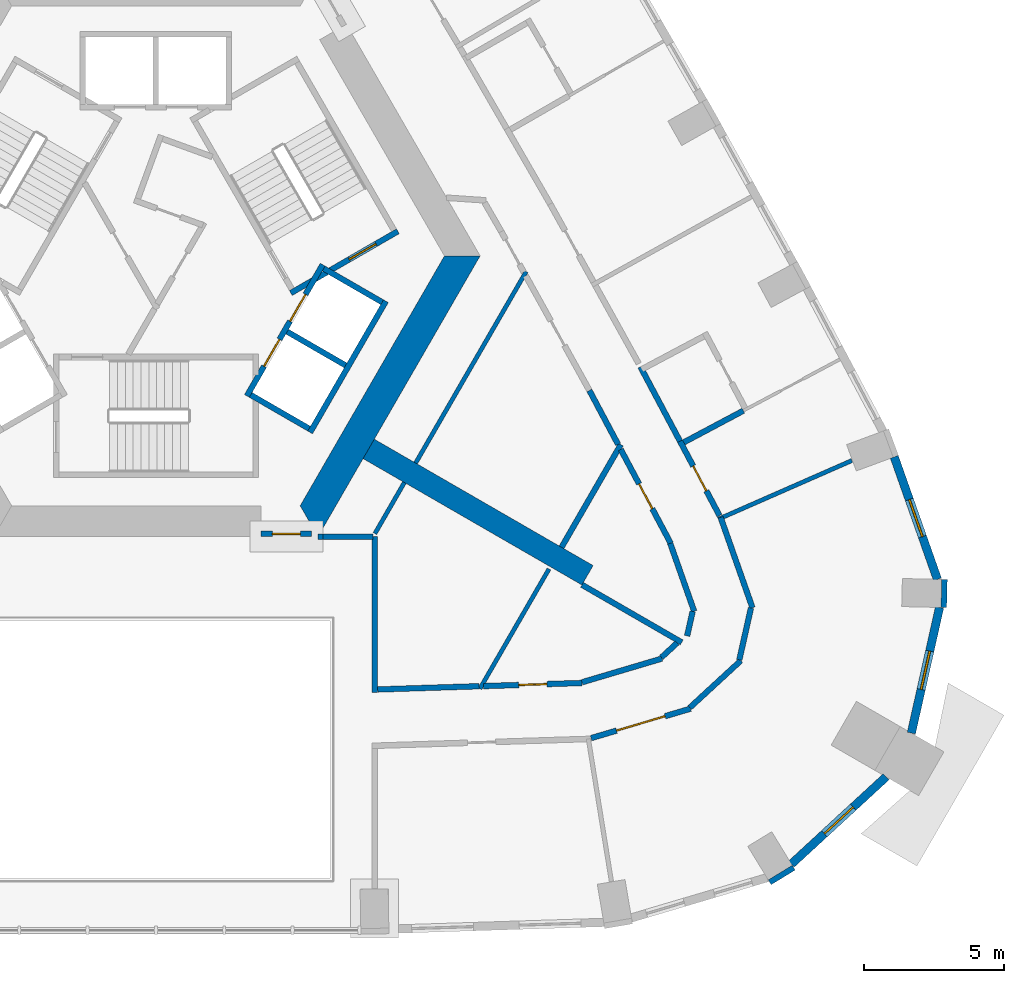
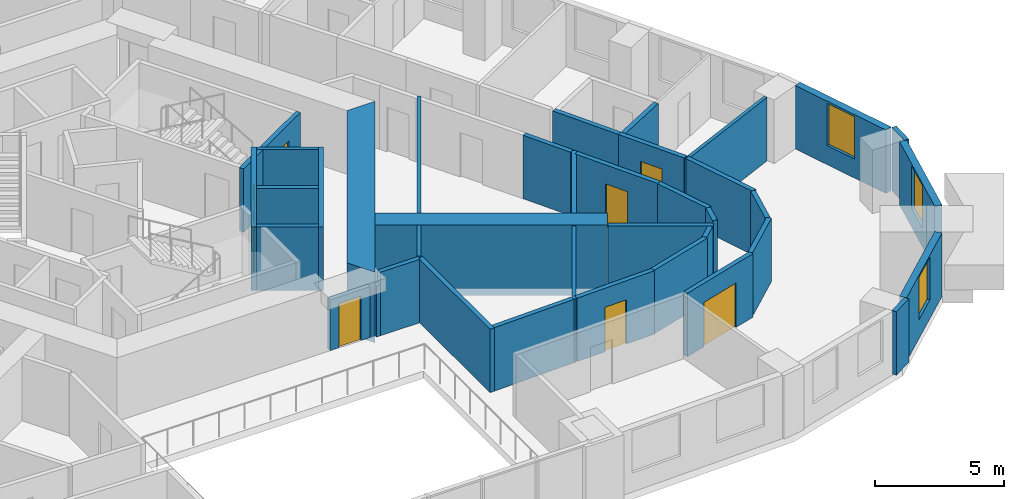
# One storey, part 6 of 12: 38 walls, 8 doors, 3 windows, 11 openings.
"""IFC4 building model written with IfcOpenShell, lengths in metres."""

from ifc_helpers import new_model, si_unit, direction, frame, frame_2d, origin, place, context, subcontext, project, spatial, polyline, rectangle, outline, extrude, material, layer, layer_set, type_object, element, fill, save


model = new_model("IFC4")

# Units and contexts
model_context = context("Model", 3, precision=1e-05, world=origin(), true_north=direction((0.0, 1.0)))
body_context = subcontext(model_context, "Body", "Model", "MODEL_VIEW")
ifc_project = project(units=[si_unit("LENGTHUNIT", "METRE"), si_unit("AREAUNIT", "SQUARE_METRE"), si_unit("VOLUMEUNIT", "CUBIC_METRE"), si_unit("PLANEANGLEUNIT", "RADIAN"), si_unit("MASSUNIT", "GRAM", prefix="KILO")], contexts=[model_context])

# Site, building, storey
site_placement = place(None, origin())
site = spatial("IfcSite", under=ifc_project, at=site_placement, CompositionType="ELEMENT")
building_placement = place(site_placement, origin())
building = spatial("IfcBuilding", under=site, at=building_placement, Name="Entoto Arch Interchange Tower", CompositionType="ELEMENT")
storey_placement = place(building_placement, frame((0.0, 0.0, 277.39990234375)))
storey = spatial("IfcBuildingStorey", under=building, at=storey_placement, Name="L64", CompositionType="ELEMENT", Elevation=277.39990234375)

# Wall
ifc_material_1 = material(Name="Concrete C40/50", Category="concrete")
ifc_layer_1 = layer(ifc_material_1, 0.800048828125)
ifc_layer_set_1 = layer_set([ifc_layer_1], Name="Concrete C40/50")
wall_type_1 = type_object("IfcWallType", Name="Buttress wall 800 C40/50", PredefinedType="SHEAR", material=ifc_layer_set_1)
wall_1_placement = place(storey_placement, frame((7.577880859375, -4.375, -0.33984375), z_axis=(0.0, 0.0, 1.0), x_axis=(0.866024315419, -0.5000018851, 0.0)))
element("IfcWall", 1, at=wall_1_placement, inside=storey, type_object=wall_type_1, Name="Buttress wall SE L64", PredefinedType="SHEAR", context=body_context, shape_type="SweptSolid", body=[
    extrude(rectangle(XDim=9.0, YDim=0.800048828125, at=frame_2d((4.5, 0.0))), origin(), (0.0, 0.0, 1.0), 3.33984375),
])

# Wall, opening, door
ifc_material_2 = material(Name="Reinforced concrete C40/50", Category="concrete")
ifc_layer_2 = layer(ifc_material_2, 0.199951171875)
ifc_layer_set_2 = layer_set([ifc_layer_2], Name="Reinforced concrete C40/50")
wall_type_2 = type_object("IfcWallType", Name="CORE GAP INFILL WALL", PredefinedType="PARTITIONING", material=ifc_layer_set_2)
wall_2_placement = place(storey_placement, frame((3.75, -7.39990234375, 0.0), z_axis=(0.0, 0.0, 1.0), x_axis=(1.0, 0.0, 0.0)))
wall_2 = element("IfcWall", 2, at=wall_2_placement, inside=storey, type_object=wall_type_2, Name="wall:L64:gap1", PredefinedType="PARTITIONING", context=body_context, shape_type="SweptSolid", body=[
    extrude(rectangle(XDim=1.7939453125, YDim=0.199951171875, at=frame_2d((0.89697265625, 0.0))), origin(), (0.0, 0.0, 1.0), 2.400146484375),
])
opening_1_placement = place(wall_2_placement, frame((0.39697265625, 0.0, 0.0)))
opening_1 = element("IfcOpeningElement", 3, at=opening_1_placement, cuts=wall_2, Name="Opening L64-D91", PredefinedType="OPENING", context=body_context, shape_type="SweptSolid", body=[
    extrude(rectangle(XDim=1.0, YDim=2.10009765625, at=frame_2d((0.5, 1.050048828125))), frame((0.0, 0.10986328125, 0.0), z_axis=(0.0, -1.0, 0.0), x_axis=(1.0, 0.0, 0.0)), (0.0, 0.0, 1.0), 0.219970703125),
])
ifc_material_3 = material(Name="Fire-rated Steel S235 door and frame", Category="steel")
door_type_1 = type_object("IfcDoorType", Name="DOOR FD-10 1000x2100", OperationType="SINGLE_SWING_LEFT", PredefinedType="DOOR", material=ifc_material_3)
door_1_placement = place(opening_1_placement, origin())
door_1 = element("IfcDoor", 4, at=door_1_placement, inside=storey, type_object=door_type_1, Name="door:L64:gap1", OperationType="SINGLE_SWING_LEFT", OverallHeight=2.10009765625, OverallWidth=1.0, PredefinedType="DOOR", context=body_context, shape_type="SweptSolid", body=[
    extrude(rectangle(XDim=1.0, YDim=2.10009765625, at=frame_2d((0.5, 1.050048828125))), frame((0.0, 0.02490234375, 0.0), z_axis=(0.0, -1.0, 0.0), x_axis=(1.0, 0.0, 0.0)), (0.0, 0.0, 1.0), 0.050048828125),
])
fill(opening_1, door_1)

# Wall
ifc_layer_3 = layer(ifc_material_1, 1.10009765625)
ifc_layer_set_3 = layer_set([ifc_layer_3], Name="Concrete C40/50")
wall_type_3 = type_object("IfcWallType", Name="Core wall 1100 C40/50", PredefinedType="SHEAR", material=ifc_layer_set_3)
wall_3_placement = place(storey_placement, frame((0.0, 0.0, -0.33984375)))
element("IfcWall", 5, at=wall_3_placement, inside=storey, type_object=wall_type_3, Name="Core wall SE L64", PredefinedType="SHEAR", context=body_context, shape_type="SweptSolid", body=[
    extrude(outline(polyline([(5.77392578125, -7.5), (11.547119140625, 2.5), (10.277099609375, 2.5), (5.137939453125, -6.39990234375), (5.77392578125, -7.5)])), origin(), (0.0, 0.0, 1.0), 3.33984375),
])

# Wall, openings, doors
ifc_layer_4 = layer(ifc_material_1, 0.199951171875)
ifc_layer_set_4 = layer_set([ifc_layer_4], Name="Concrete C40/50")
wall_type_4 = type_object("IfcWallType", Name="LIFT SHAFT WALL 200", PredefinedType="STANDARD", material=ifc_layer_set_4)
wall_4_placement = place(storey_placement, frame((3.239990234375, -2.488037109375, 0.0), z_axis=(0.0, 0.0, 1.0), x_axis=(0.500034260056, 0.866005622828, 0.0)))
wall_4 = element("IfcWall", 6, at=wall_4_placement, inside=storey, type_object=wall_type_4, Name="Shaft wall SE1 front", PredefinedType="STANDARD", context=body_context, shape_type="SweptSolid", body=[
    extrude(rectangle(XDim=5.3994140625, YDim=0.199951171875, at=frame_2d((2.69970703125, 0.0))), origin(), (0.0, 0.0, 1.0), 3.0),
])
opening_2_placement = place(wall_4_placement, frame((3.074951171875, 0.0, 0.0)))
opening_2 = element("IfcOpeningElement", 7, at=opening_2_placement, cuts=wall_4, Name="Opening LD-HR3-L64", PredefinedType="OPENING", context=body_context, shape_type="SweptSolid", body=[
    extrude(rectangle(XDim=1.10009765625, YDim=2.10009765625, at=frame_2d((0.550048828125, 1.050048828125))), frame((0.0, 0.10986328125, 0.0), z_axis=(0.0, -1.0, 0.0), x_axis=(1.0, 0.0, 0.0)), (0.0, 0.0, 1.0), 0.219970703125),
])
opening_3_placement = place(wall_4_placement, frame((1.22509765625, 0.0, 0.0)))
opening_3 = element("IfcOpeningElement", 8, at=opening_3_placement, cuts=wall_4, Name="Opening LD-FF1-L64", PredefinedType="OPENING", context=body_context, shape_type="SweptSolid", body=[
    extrude(rectangle(XDim=1.10009765625, YDim=2.10009765625, at=frame_2d((0.550048828125, 1.050048828125))), frame((0.0, 0.10986328125, 0.0), z_axis=(0.0, -1.0, 0.0), x_axis=(1.0, 0.0, 0.0)), (0.0, 0.0, 1.0), 0.219970703125),
])
ifc_material_4 = material(Name="Stainless steel 1.4301 panels", Category="steel")
door_type_2 = type_object("IfcDoorType", Name="LIFT LANDING DOOR LD1 1100x2100", OperationType="SLIDING_TO_LEFT", PredefinedType="DOOR", material=ifc_material_4)
door_2_placement = place(opening_2_placement, origin())
door_2 = element("IfcDoor", 9, at=door_2_placement, inside=storey, type_object=door_type_2, Name="Lift landing door HR3 L64", OperationType="SLIDING_TO_LEFT", OverallHeight=2.10009765625, OverallWidth=1.10009765625, PredefinedType="DOOR", context=body_context, shape_type="SweptSolid", body=[
    extrude(rectangle(XDim=1.10009765625, YDim=2.10009765625, at=frame_2d((0.550048828125, 1.050048828125))), frame((0.0, 0.02490234375, 0.0), z_axis=(0.0, -1.0, 0.0), x_axis=(1.0, 0.0, 0.0)), (0.0, 0.0, 1.0), 0.050048828125),
])
fill(opening_2, door_2)
door_3_placement = place(opening_3_placement, origin())
door_3 = element("IfcDoor", 10, at=door_3_placement, inside=storey, type_object=door_type_2, Name="Lift landing door FF1 L64", OperationType="SLIDING_TO_LEFT", OverallHeight=2.10009765625, OverallWidth=1.10009765625, PredefinedType="DOOR", context=body_context, shape_type="SweptSolid", body=[
    extrude(rectangle(XDim=1.10009765625, YDim=2.10009765625, at=frame_2d((0.550048828125, 1.050048828125))), frame((0.0, 0.02490234375, 0.0), z_axis=(0.0, -1.0, 0.0), x_axis=(1.0, 0.0, 0.0)), (0.0, 0.0, 1.0), 0.050048828125),
])
fill(opening_3, door_3)

# Walls
wall_5_placement = place(storey_placement, frame((5.491943359375, -3.7880859375, 0.0), z_axis=(0.0, 0.0, 1.0), x_axis=(0.500034260056, 0.866005622828, 0.0)))
element("IfcWall", 11, at=wall_5_placement, inside=storey, type_object=wall_type_4, Name="Shaft wall SE1 back", PredefinedType="STANDARD", context=body_context, shape_type="SweptSolid", body=[
    extrude(rectangle(XDim=5.3994140625, YDim=0.199951171875, at=frame_2d((2.69970703125, 0.0))), origin(), (0.0, 0.0, 1.0), 3.0),
])
wall_6_placement = place(storey_placement, frame((3.376953125, -2.451904296875, 0.0), z_axis=(0.0, 0.0, 1.0), x_axis=(0.865955154139, -0.50012165622, 0.0)))
element("IfcWall", 12, at=wall_6_placement, inside=storey, type_object=wall_type_4, Name="Shaft wall SE1 cross 1", PredefinedType="STANDARD", context=body_context, shape_type="SweptSolid", body=[
    extrude(rectangle(XDim=2.39990234375, YDim=0.199951171875, at=frame_2d((1.199951171875, 0.0))), origin(), (0.0, 0.0, 1.0), 3.0),
])
for number, where, z_axis, x_axis, name in (
    (13, (4.677001953125, -0.199951171875, 0.0), (0.0, 0.0, 1.0), (0.865973769406, -0.500089422704, 0.0), "Shaft wall SE1 cross 2"),
    (14, (5.97705078125, 2.052001953125, 0.0), (0.0, 0.0, 1.0), (0.865973769406, -0.500089422704, 0.0), "Shaft wall SE1 cross 3"),
):
    element("IfcWall", number, at=place(storey_placement, frame(where, z_axis=z_axis, x_axis=x_axis)), inside=storey, type_object=wall_type_4, Name=name, PredefinedType="STANDARD", context=body_context, shape_type="SweptSolid", body=[
        extrude(rectangle(XDim=2.3994140625, YDim=0.199951171875, at=frame_2d((1.19970703125, 0.0))), origin(), (0.0, 0.0, 1.0), 3.0),
    ])
ifc_material_5 = material(Name="Gypsum board partition on steel studs", Category="steel")
ifc_layer_5 = layer(ifc_material_5, 0.14990234375)
ifc_layer_set_5 = layer_set([ifc_layer_5], Name="Gypsum board partition on steel studs")
wall_type_5 = type_object("IfcWallType", Name="PARTITION 150", PredefinedType="PARTITIONING", material=ifc_layer_set_5)
wall_7_placement = place(storey_placement, frame((7.800048828125, -7.389892578125, 0.0), z_axis=(0.0, 0.0, 1.0), x_axis=(0.499977374825, 0.866038466041, 0.0)))
element("IfcWall", 15, at=wall_7_placement, inside=storey, type_object=wall_type_5, Name="wall:L64:p076", PredefinedType="PARTITIONING", context=body_context, shape_type="SweptSolid", body=[
    extrude(rectangle(XDim=2.10009765625, YDim=0.14990234375, at=frame_2d((1.050048828125, 0.0))), origin(), (0.0, 0.0, 1.0), 3.0),
])
wall_8_placement = place(storey_placement, frame((14.0, -8.652099609375, 0.0), z_axis=(0.0, 0.0, 1.0), x_axis=(-0.500067562424, -0.865986393087, 0.0)))
element("IfcWall", 16, at=wall_8_placement, inside=storey, type_object=wall_type_5, Name="wall:L64:p086", PredefinedType="PARTITIONING", context=body_context, shape_type="SweptSolid", body=[
    extrude(rectangle(XDim=4.919189453125, YDim=0.14990234375, at=frame_2d((2.45947265625, 0.0))), origin(), (0.0, 0.0, 1.0), 3.0),
])
wall_9_placement = place(storey_placement, frame((20.030029296875, -6.8779296875, 0.0), z_axis=(0.0, 0.0, 1.0), x_axis=(0.915616185053, 0.402053481104, 0.0)))
element("IfcWall", 17, at=wall_9_placement, inside=storey, type_object=wall_type_5, Name="wall:L64:p095", PredefinedType="PARTITIONING", context=body_context, shape_type="SweptSolid", body=[
    extrude(rectangle(XDim=5.195556640625, YDim=0.14990234375, at=frame_2d((2.59765625, 0.0))), origin(), (0.0, 0.0, 1.0), 3.0),
])
wall_10_placement = place(storey_placement, frame((9.25, -4.87890625, 0.0), z_axis=(0.0, 0.0, 1.0), x_axis=(0.499999725187, 0.866025562448, 0.0)))
element("IfcWall", 18, at=wall_10_placement, inside=storey, type_object=wall_type_5, Name="wall:L64:p076", PredefinedType="PARTITIONING", context=body_context, shape_type="SweptSolid", body=[
    extrude(rectangle(XDim=7.8759765625, YDim=0.14990234375, at=frame_2d((3.93798828125, 0.0))), origin(), (0.0, 0.0, 1.0), 3.0),
])
ifc_layer_6 = layer(ifc_material_5, 0.199951171875)
ifc_layer_set_6 = layer_set([ifc_layer_6], Name="Gypsum board partition on steel studs")
wall_type_6 = type_object("IfcWallType", Name="PARTITION 200", PredefinedType="PARTITIONING", material=ifc_layer_set_6)
wall_11_placement = place(storey_placement, frame((7.89990234375, -12.94189453125, 0.0), z_axis=(0.0, 0.0, 1.0), x_axis=(0.999494468474, 0.031793198801, 0.0)))
element("IfcWall", 19, at=wall_11_placement, inside=storey, type_object=wall_type_6, Name="wall:L64:p019", PredefinedType="PARTITIONING", context=body_context, shape_type="SweptSolid", body=[
    extrude(rectangle(XDim=3.61669921875, YDim=0.199951171875, at=frame_2d((1.808349609375, 0.0))), origin(), (0.0, 0.0, 1.0), 3.0),
])
wall_12_placement = place(storey_placement, frame((16.4619140625, -4.217041015625, 0.0), z_axis=(0.0, 0.0, 1.0), x_axis=(-0.469436447461, 0.882966263113, 0.0)))
element("IfcWall", 20, at=wall_12_placement, inside=storey, type_object=wall_type_6, Name="wall:L64:p020", PredefinedType="PARTITIONING", context=body_context, shape_type="SweptSolid", body=[
    extrude(rectangle(XDim=2.17919921875, YDim=0.199951171875, at=frame_2d((1.089599609375, 0.0))), origin(), (0.0, 0.0, 1.0), 3.0),
])

# Wall, opening, door
wall_13_placement = place(storey_placement, frame((11.6650390625, -12.822998046875, 0.0), z_axis=(0.0, 0.0, 1.0), x_axis=(0.99949244941, 0.03185660956, 0.0)))
wall_13 = element("IfcWall", 21, at=wall_13_placement, inside=storey, type_object=wall_type_6, Name="wall:L64:p022", PredefinedType="PARTITIONING", context=body_context, shape_type="SweptSolid", body=[
    extrude(rectangle(XDim=3.517578125, YDim=0.199951171875, at=frame_2d((1.7587890625, 0.0))), origin(), (0.0, 0.0, 1.0), 3.0),
])
opening_4_placement = place(wall_13_placement, frame((1.259033203125, 0.0, 0.0)))
opening_4 = element("IfcOpeningElement", 22, at=opening_4_placement, cuts=wall_13, Name="Opening L64-D23", PredefinedType="OPENING", context=body_context, shape_type="SweptSolid", body=[
    extrude(rectangle(XDim=1.0, YDim=2.10009765625, at=frame_2d((0.5, 1.050048828125))), frame((0.0, 0.10986328125, 0.0), z_axis=(0.0, -1.0, 0.0), x_axis=(1.0, 0.0, 0.0)), (0.0, 0.0, 1.0), 0.219970703125),
])
ifc_material_6 = material(Name="Timber door leaf in Steel S235 frame", Category="steel")
door_type_3 = type_object("IfcDoorType", Name="DOOR DS-10 1000x2100", OperationType="SINGLE_SWING_LEFT", PredefinedType="DOOR", material=ifc_material_6)
door_4_placement = place(opening_4_placement, origin())
door_4 = element("IfcDoor", 23, at=door_4_placement, inside=storey, type_object=door_type_3, Name="door:L64:23", OperationType="SINGLE_SWING_RIGHT", OverallHeight=2.10009765625, OverallWidth=1.0, PredefinedType="DOOR", context=body_context, shape_type="SweptSolid", body=[
    extrude(rectangle(XDim=1.0, YDim=2.10009765625, at=frame_2d((0.5, 1.050048828125))), frame((0.0, 0.02490234375, 0.0), z_axis=(0.0, -1.0, 0.0), x_axis=(1.0, 0.0, 0.0)), (0.0, 0.0, 1.0), 0.050048828125),
])
fill(opening_4, door_4)

# Walls
wall_14_placement = place(storey_placement, frame((15.177001953125, -12.68603515625, 0.0), z_axis=(0.0, 0.0, 1.0), x_axis=(0.958629704259, 0.284656090947, 0.0)))
element("IfcWall", 24, at=wall_14_placement, inside=storey, type_object=wall_type_6, Name="wall:L64:p023", PredefinedType="PARTITIONING", context=body_context, shape_type="SweptSolid", body=[
    extrude(rectangle(XDim=2.971923828125, YDim=0.199951171875, at=frame_2d((1.48583984375, 0.0))), origin(), (0.0, 0.0, 1.0), 3.0),
])
wall_15_placement = place(storey_placement, frame((18.00390625, -11.801025390625, 0.0), z_axis=(0.0, 0.0, 1.0), x_axis=(0.735268601872, 0.677775835436, 0.0)))
element("IfcWall", 25, at=wall_15_placement, inside=storey, type_object=wall_type_6, Name="wall:L64:p024", PredefinedType="PARTITIONING", context=body_context, shape_type="SweptSolid", body=[
    extrude(rectangle(XDim=0.764404296875, YDim=0.199951171875, at=frame_2d((0.38232421875, 0.0))), origin(), (0.0, 0.0, 1.0), 3.0),
])
wall_16_placement = place(storey_placement, frame((18.919921875, -11.033935546875, 0.0), z_axis=(0.0, 0.0, 1.0), x_axis=(0.219096654714, 0.975703159723, 0.0)))
element("IfcWall", 26, at=wall_16_placement, inside=storey, type_object=wall_type_6, Name="wall:L64:p025", PredefinedType="PARTITIONING", context=body_context, shape_type="SweptSolid", body=[
    extrude(rectangle(XDim=0.894775390625, YDim=0.199951171875, at=frame_2d((0.447265625, 0.0))), origin(), (0.0, 0.0, 1.0), 3.0),
])
wall_17_placement = place(storey_placement, frame((19.1708984375, -10.157958984375, 0.0), z_axis=(0.0, 0.0, 1.0), x_axis=(-0.332486504777, 0.943108012977, 0.0)))
element("IfcWall", 27, at=wall_17_placement, inside=storey, type_object=wall_type_6, Name="wall:L64:p026", PredefinedType="PARTITIONING", context=body_context, shape_type="SweptSolid", body=[
    extrude(rectangle(XDim=2.56494140625, YDim=0.199951171875, at=frame_2d((1.282470703125, 0.0))), origin(), (0.0, 0.0, 1.0), 3.0),
])

# Wall, opening, door
wall_18_placement = place(storey_placement, frame((18.33203125, -7.73291015625, 0.0), z_axis=(0.0, 0.0, 1.0), x_axis=(-0.469639737924, 0.882858152006, 0.0)))
wall_18 = element("IfcWall", 28, at=wall_18_placement, inside=storey, type_object=wall_type_6, Name="wall:L64:p027", PredefinedType="PARTITIONING", context=body_context, shape_type="SweptSolid", body=[
    extrude(rectangle(XDim=3.781982421875, YDim=0.199951171875, at=frame_2d((1.89111328125, 0.0))), origin(), (0.0, 0.0, 1.0), 3.0),
])
opening_5_placement = place(wall_18_placement, frame((1.39111328125, 0.0, 0.0)))
opening_5 = element("IfcOpeningElement", 29, at=opening_5_placement, cuts=wall_18, Name="Opening L64-D24", PredefinedType="OPENING", context=body_context, shape_type="SweptSolid", body=[
    extrude(rectangle(XDim=1.0, YDim=2.10009765625, at=frame_2d((0.5, 1.050048828125))), frame((0.0, 0.10986328125, 0.0), z_axis=(0.0, -1.0, 0.0), x_axis=(1.0, 0.0, 0.0)), (0.0, 0.0, 1.0), 0.219970703125),
])
door_5_placement = place(opening_5_placement, origin())
door_5 = element("IfcDoor", 30, at=door_5_placement, inside=storey, type_object=door_type_3, Name="door:L64:24", OperationType="SINGLE_SWING_RIGHT", OverallHeight=2.10009765625, OverallWidth=1.0, PredefinedType="DOOR", context=body_context, shape_type="SweptSolid", body=[
    extrude(rectangle(XDim=1.0, YDim=2.10009765625, at=frame_2d((0.5, 1.050048828125))), frame((0.0, 0.02490234375, 0.0), z_axis=(0.0, -1.0, 0.0), x_axis=(1.0, 0.0, 0.0)), (0.0, 0.0, 1.0), 0.050048828125),
])
fill(opening_5, door_5)

# Walls
wall_19_placement = place(storey_placement, frame((20.113037109375, -6.81396484375, 0.0), z_axis=(0.0, 0.0, 1.0), x_axis=(0.332352648366, -0.943155192492, 0.0)))
element("IfcWall", 31, at=wall_19_placement, inside=storey, type_object=wall_type_6, Name="wall:L64:p038", PredefinedType="PARTITIONING", context=body_context, shape_type="SweptSolid", body=[
    extrude(rectangle(XDim=3.4150390625, YDim=0.199951171875, at=frame_2d((1.70751953125, 0.0))), origin(), (0.0, 0.0, 1.0), 3.0),
])
wall_20_placement = place(storey_placement, frame((21.193115234375, -10.0380859375, 0.0), z_axis=(0.0, 0.0, 1.0), x_axis=(-0.218540107266, -0.975827967173, 0.0)))
element("IfcWall", 32, at=wall_20_placement, inside=storey, type_object=wall_type_6, Name="wall:L64:p039", PredefinedType="PARTITIONING", context=body_context, shape_type="SweptSolid", body=[
    extrude(rectangle(XDim=1.894775390625, YDim=0.199951171875, at=frame_2d((0.947265625, 0.0))), origin(), (0.0, 0.0, 1.0), 3.0),
])
wall_21_placement = place(storey_placement, frame((20.830078125, -11.9169921875, 0.0), z_axis=(0.0, 0.0, 1.0), x_axis=(-0.735547704352, -0.67747293276, 0.0)))
element("IfcWall", 33, at=wall_21_placement, inside=storey, type_object=wall_type_6, Name="wall:L64:p040", PredefinedType="PARTITIONING", context=body_context, shape_type="SweptSolid", body=[
    extrude(rectangle(XDim=2.46337890625, YDim=0.199951171875, at=frame_2d((1.231689453125, 0.0))), origin(), (0.0, 0.0, 1.0), 3.0),
])

# Wall, opening, door
wall_22_placement = place(storey_placement, frame((19.0400390625, -13.6259765625, 0.0), z_axis=(0.0, 0.0, 1.0), x_axis=(-0.958734738219, -0.284302131073, 0.0)))
wall_22 = element("IfcWall", 34, at=wall_22_placement, inside=storey, type_object=wall_type_6, Name="wall:L64:p041", PredefinedType="PARTITIONING", context=body_context, shape_type="SweptSolid", body=[
    extrude(rectangle(XDim=3.693359375, YDim=0.199951171875, at=frame_2d((1.8466796875, 0.0))), origin(), (0.0, 0.0, 1.0), 3.0),
])
opening_6_placement = place(wall_22_placement, frame((0.947021484375, 0.0, 0.0)))
opening_6 = element("IfcOpeningElement", 35, at=opening_6_placement, cuts=wall_22, Name="Opening L64-D17", PredefinedType="OPENING", context=body_context, shape_type="SweptSolid", body=[
    extrude(rectangle(XDim=1.800048828125, YDim=2.10009765625, at=frame_2d((0.89990234375, 1.050048828125))), frame((0.0, 0.10986328125, 0.0), z_axis=(0.0, -1.0, 0.0), x_axis=(1.0, 0.0, 0.0)), (0.0, 0.0, 1.0), 0.219970703125),
])
door_type_4 = type_object("IfcDoorType", Name="DOOR DD-18 1800x2100", OperationType="DOUBLE_DOOR_SINGLE_SWING", PredefinedType="DOOR", material=ifc_material_6)
door_6_placement = place(opening_6_placement, origin())
door_6 = element("IfcDoor", 36, at=door_6_placement, inside=storey, type_object=door_type_4, Name="door:L64:17", OperationType="DOUBLE_DOOR_SINGLE_SWING", OverallHeight=2.10009765625, OverallWidth=1.800048828125, PredefinedType="DOOR", context=body_context, shape_type="SweptSolid", body=[
    extrude(rectangle(XDim=1.800048828125, YDim=2.10009765625, at=frame_2d((0.89990234375, 1.050048828125))), frame((0.0, 0.02490234375, 0.0), z_axis=(0.0, -1.0, 0.0), x_axis=(1.0, 0.0, 0.0)), (0.0, 0.0, 1.0), 0.050048828125),
])
fill(opening_6, door_6)

wall_23_placement = place(storey_placement, frame((18.666015625, -4.10107421875, 0.0), z_axis=(0.0, 0.0, 1.0), x_axis=(0.469341661158, -0.883016650523, 0.0)))
wall_23 = element("IfcWall", 37, at=wall_23_placement, inside=storey, type_object=wall_type_6, Name="wall:L64:p042", PredefinedType="PARTITIONING", context=body_context, shape_type="SweptSolid", body=[
    extrude(rectangle(XDim=2.999755859375, YDim=0.199951171875, at=frame_2d((1.5, 0.0))), origin(), (0.0, 0.0, 1.0), 3.0),
])
opening_7_placement = place(wall_23_placement, frame((1.0, 0.0, 0.0)))
opening_7 = element("IfcOpeningElement", 38, at=opening_7_placement, cuts=wall_23, Name="Opening L64-D01", PredefinedType="OPENING", context=body_context, shape_type="SweptSolid", body=[
    extrude(rectangle(XDim=1.0, YDim=2.10009765625, at=frame_2d((0.5, 1.050048828125))), frame((0.0, 0.10986328125, 0.0), z_axis=(0.0, -1.0, 0.0), x_axis=(1.0, 0.0, 0.0)), (0.0, 0.0, 1.0), 0.219970703125),
])
door_7_placement = place(opening_7_placement, origin())
door_7 = element("IfcDoor", 39, at=door_7_placement, inside=storey, type_object=door_type_1, Name="door:L64:01", OperationType="SINGLE_SWING_LEFT", OverallHeight=2.10009765625, OverallWidth=1.0, PredefinedType="DOOR", context=body_context, shape_type="SweptSolid", body=[
    extrude(rectangle(XDim=1.0, YDim=2.10009765625, at=frame_2d((0.5, 1.050048828125))), frame((0.0, 0.02490234375, 0.0), z_axis=(0.0, -1.0, 0.0), x_axis=(1.0, 0.0, 0.0)), (0.0, 0.0, 1.0), 0.050048828125),
])
fill(opening_7, door_7)

# Walls
wall_24_placement = place(storey_placement, frame((17.257080078125, -1.451904296875, 0.0), z_axis=(0.0, 0.0, 1.0), x_axis=(0.469561695117, -0.882899662747, 0.0)))
element("IfcWall", 40, at=wall_24_placement, inside=storey, type_object=wall_type_6, Name="wall:L64:p044", PredefinedType="PARTITIONING", context=body_context, shape_type="SweptSolid", body=[
    extrude(rectangle(XDim=3.00048828125, YDim=0.199951171875, at=frame_2d((1.500244140625, 0.0))), origin(), (0.0, 0.0, 1.0), 3.0),
])
wall_25_placement = place(storey_placement, frame((5.77490234375, -7.4990234375, 0.0), z_axis=(0.0, 0.0, 1.0), x_axis=(1.0, 0.0, 0.0)))
element("IfcWall", 41, at=wall_25_placement, inside=storey, type_object=wall_type_6, Name="wall:L64:p075", PredefinedType="PARTITIONING", context=body_context, shape_type="SweptSolid", body=[
    extrude(rectangle(XDim=0.169189453125, YDim=0.199951171875, at=frame_2d((0.08447265625, 0.0))), origin(), (0.0, 0.0, 1.0), 2.400146484375),
])
wall_26_placement = place(storey_placement, frame((7.800048828125, -7.4990234375, 0.0), z_axis=(0.0, 0.0, 1.0), x_axis=(0.0, -1.0, 0.0)))
element("IfcWall", 42, at=wall_26_placement, inside=storey, type_object=wall_type_6, Name="wall:L64:p080", PredefinedType="PARTITIONING", context=body_context, shape_type="SweptSolid", body=[
    extrude(rectangle(XDim=5.546875, YDim=0.199951171875, at=frame_2d((2.7734375, 0.0))), origin(), (0.0, 0.0, 1.0), 3.0),
])
wall_27_placement = place(storey_placement, frame((16.55908203125, -4.218994140625, 0.0), z_axis=(0.0, 0.0, 1.0), x_axis=(-0.499997491977, -0.866026851788, 0.0)))
element("IfcWall", 43, at=wall_27_placement, inside=storey, type_object=wall_type_6, Name="wall:L64:p087", PredefinedType="PARTITIONING", context=body_context, shape_type="SweptSolid", body=[
    extrude(rectangle(XDim=4.22607421875, YDim=0.199951171875, at=frame_2d((2.113037109375, 0.0))), origin(), (0.0, 0.0, 1.0), 3.0),
])
wall_28_placement = place(storey_placement, frame((15.176025390625, -9.215087890625, 0.0), z_axis=(0.0, 0.0, 1.0), x_axis=(0.866006068523, -0.500033488159, 0.0)))
element("IfcWall", 44, at=wall_28_placement, inside=storey, type_object=wall_type_6, Name="wall:L64:p088", PredefinedType="PARTITIONING", context=body_context, shape_type="SweptSolid", body=[
    extrude(rectangle(XDim=4.099365234375, YDim=0.199951171875, at=frame_2d((2.0498046875, 0.0))), origin(), (0.0, 0.0, 1.0), 3.0),
])
wall_29_placement = place(storey_placement, frame((18.801025390625, -4.14208984375, 0.0), z_axis=(0.0, 0.0, 1.0), x_axis=(0.882850852072, 0.469653460539, 0.0)))
element("IfcWall", 45, at=wall_29_placement, inside=storey, type_object=wall_type_6, Name="wall:L64:p097", PredefinedType="PARTITIONING", context=body_context, shape_type="SweptSolid", body=[
    extrude(rectangle(XDim=2.400146484375, YDim=0.199951171875, at=frame_2d((1.2001953125, 0.0))), origin(), (0.0, 0.0, 1.0), 3.0),
])
wall_30_placement = place(storey_placement, frame((5.944091796875, -7.4990234375, 0.0), z_axis=(0.0, 0.0, 1.0), x_axis=(1.0, 0.0, 0.0)))
element("IfcWall", 46, at=wall_30_placement, inside=storey, type_object=wall_type_6, Name="wall:L64:p075", PredefinedType="PARTITIONING", context=body_context, shape_type="SweptSolid", body=[
    extrude(rectangle(XDim=1.79296875, YDim=0.199951171875, at=frame_2d((0.896484375, 0.0))), origin(), (0.0, 0.0, 1.0), 3.0),
])

# Wall, opening, door
ifc_layer_7 = layer(ifc_material_1, 0.199951171875)
ifc_layer_set_7 = layer_set([ifc_layer_7], Name="Concrete C40/50")
wall_type_7 = type_object("IfcWallType", Name="STAIR ENCLOSURE WALL 200", PredefinedType="STANDARD", material=ifc_layer_set_7)
wall_31_placement = place(storey_placement, frame((4.805908203125, 1.176025390625, 0.0), z_axis=(0.0, 0.0, 1.0), x_axis=(0.866059941101, 0.499940174841, 0.0)))
wall_31 = element("IfcWall", 47, at=wall_31_placement, inside=storey, type_object=wall_type_7, Name="Stair wall ST-NE near", PredefinedType="STANDARD", context=body_context, shape_type="SweptSolid", body=[
    extrude(rectangle(XDim=4.400390625, YDim=0.199951171875, at=frame_2d((2.2001953125, 0.0))), origin(), (0.0, 0.0, 1.0), 3.0),
])
opening_8_placement = place(wall_31_placement, frame((2.39990234375, 0.0, 0.0)))
opening_8 = element("IfcOpeningElement", 48, at=opening_8_placement, cuts=wall_31, Name="Opening SD-ST-NE-L64-E", PredefinedType="OPENING", context=body_context, shape_type="SweptSolid", body=[
    extrude(rectangle(XDim=1.10009765625, YDim=2.199951171875, at=frame_2d((0.550048828125, 1.10009765625))), frame((0.0, 0.10986328125, 0.0), z_axis=(0.0, -1.0, 0.0), x_axis=(1.0, 0.0, 0.0)), (0.0, 0.0, 1.0), 0.219970703125),
])
ifc_material_7 = material(Name="Steel S235", Category="steel")
door_type_5 = type_object("IfcDoorType", Name="STAIR DOOR SD1 1100x2200", OperationType="SINGLE_SWING_LEFT", PredefinedType="DOOR", material=ifc_material_7)
door_8_placement = place(opening_8_placement, origin())
door_8 = element("IfcDoor", 49, at=door_8_placement, inside=storey, type_object=door_type_5, Name="Stair door ST-NE L64 end", OperationType="SINGLE_SWING_LEFT", OverallHeight=2.199951171875, OverallWidth=1.10009765625, PredefinedType="DOOR", context=body_context, shape_type="SweptSolid", body=[
    extrude(rectangle(XDim=1.10009765625, YDim=2.199951171875, at=frame_2d((0.550048828125, 1.10009765625))), frame((0.0, 0.02490234375, 0.0), z_axis=(0.0, -1.0, 0.0), x_axis=(1.0, 0.0, 0.0)), (0.0, 0.0, 1.0), 0.050048828125),
])
fill(opening_8, door_8)

# Wall, opening, window
ifc_material_8 = material(Name="Welded tuff (ignimbrite) cladding, warm buff", Category="masonry")
ifc_layer_8 = layer(ifc_material_8, 0.300048828125)
ifc_layer_set_8 = layer_set([ifc_layer_8], Name="Welded tuff (ignimbrite) cladding, warm buff")
wall_type_8 = type_object("IfcWallType", Name="STONE INFILL WALL 300", PredefinedType="STANDARD", material=ifc_layer_set_8)
wall_32_placement = place(storey_placement, frame((22.634033203125, -19.159912109375, 0.0), z_axis=(0.0, 0.0, 1.0), x_axis=(0.735631679486, 0.677381747714, 0.0)))
wall_32 = element("IfcWall", 50, at=wall_32_placement, inside=storey, type_object=wall_type_8, Name="Facade wall SE-02 L64", PredefinedType="STANDARD", context=body_context, shape_type="SweptSolid", body=[
    extrude(rectangle(XDim=4.585205078125, YDim=0.300048828125, at=frame_2d((2.29248046875, 0.0))), origin(), (0.0, 0.0, 1.0), 3.0),
])
opening_9_placement = place(wall_32_placement, frame((1.593017578125, 0.0, 0.89990234375)))
opening_9 = element("IfcOpeningElement", 51, at=opening_9_placement, cuts=wall_32, Name="Opening WH-B", PredefinedType="OPENING", context=body_context, shape_type="SweptSolid", body=[
    extrude(rectangle(XDim=1.39990234375, YDim=2.0, at=frame_2d((0.699951171875, 1.0))), frame((0.0, 0.16015625, 0.0), z_axis=(0.0, -1.0, 0.0), x_axis=(1.0, 0.0, 0.0)), (0.0, 0.0, 1.0), 0.320068359375),
])
ifc_material_9 = material(Name="Clear glass, low-e double glazed", Category="glass")
window_type = type_object("IfcWindowType", Name="WINDOW WH-B 1400x2000", PartitioningType="DOUBLE_PANEL_VERTICAL", PredefinedType="WINDOW", material=ifc_material_9)
window_1_placement = place(opening_9_placement, origin())
window_1 = element("IfcWindow", 52, at=window_1_placement, inside=storey, type_object=window_type, Name="Window WH-B SE-02 L64", OverallHeight=2.0, OverallWidth=1.39990234375, PartitioningType="SINGLE_PANEL", PredefinedType="WINDOW", context=body_context, shape_type="SweptSolid", body=[
    extrude(rectangle(XDim=1.39990234375, YDim=2.0, at=frame_2d((0.699951171875, 1.0))), frame((0.0, 0.030029296875, 0.0), z_axis=(0.0, -1.0, 0.0), x_axis=(1.0, 0.0, 0.0)), (0.0, 0.0, 1.0), 0.06005859375),
])
fill(opening_9, window_1)

wall_33_placement = place(storey_placement, frame((26.906005859375, -14.49609375, 0.0), z_axis=(0.0, 0.0, 1.0), x_axis=(0.218936963279, 0.975739005119, 0.0)))
wall_33 = element("IfcWall", 53, at=wall_33_placement, inside=storey, type_object=wall_type_8, Name="Facade wall SE-03 L64", PredefinedType="STANDARD", context=body_context, shape_type="SweptSolid", body=[
    extrude(rectangle(XDim=4.58544921875, YDim=0.300048828125, at=frame_2d((2.292724609375, 0.0))), origin(), (0.0, 0.0, 1.0), 3.0),
])
opening_10_placement = place(wall_33_placement, frame((1.593017578125, 0.0, 0.89990234375)))
opening_10 = element("IfcOpeningElement", 54, at=opening_10_placement, cuts=wall_33, Name="Opening WH-B", PredefinedType="OPENING", context=body_context, shape_type="SweptSolid", body=[
    extrude(rectangle(XDim=1.39990234375, YDim=2.0, at=frame_2d((0.699951171875, 1.0))), frame((0.0, 0.16015625, 0.0), z_axis=(0.0, -1.0, 0.0), x_axis=(1.0, 0.0, 0.0)), (0.0, 0.0, 1.0), 0.320068359375),
])
window_2_placement = place(opening_10_placement, origin())
window_2 = element("IfcWindow", 55, at=window_2_placement, inside=storey, type_object=window_type, Name="Window WH-B SE-03 L64", OverallHeight=2.0, OverallWidth=1.39990234375, PartitioningType="SINGLE_PANEL", PredefinedType="WINDOW", context=body_context, shape_type="SweptSolid", body=[
    extrude(rectangle(XDim=1.39990234375, YDim=2.0, at=frame_2d((0.699951171875, 1.0))), frame((0.0, 0.030029296875, 0.0), z_axis=(0.0, -1.0, 0.0), x_axis=(1.0, 0.0, 0.0)), (0.0, 0.0, 1.0), 0.06005859375),
])
fill(opening_10, window_2)

wall_34_placement = place(storey_placement, frame((27.8359375, -9.02099609375, 0.0), z_axis=(0.0, 0.0, 1.0), x_axis=(-0.332491532378, 0.943106240514, 0.0)))
wall_34 = element("IfcWall", 56, at=wall_34_placement, inside=storey, type_object=wall_type_8, Name="Facade wall SE-04 L64", PredefinedType="STANDARD", context=body_context, shape_type="SweptSolid", body=[
    extrude(rectangle(XDim=4.625244140625, YDim=0.300048828125, at=frame_2d((2.3125, 0.0))), origin(), (0.0, 0.0, 1.0), 3.0),
])
opening_11_placement = place(wall_34_placement, frame((1.613037109375, 0.0, 0.89990234375)))
opening_11 = element("IfcOpeningElement", 57, at=opening_11_placement, cuts=wall_34, Name="Opening WH-B", PredefinedType="OPENING", context=body_context, shape_type="SweptSolid", body=[
    extrude(rectangle(XDim=1.39990234375, YDim=2.0, at=frame_2d((0.699951171875, 1.0))), frame((0.0, 0.16015625, 0.0), z_axis=(0.0, -1.0, 0.0), x_axis=(1.0, 0.0, 0.0)), (0.0, 0.0, 1.0), 0.320068359375),
])
window_3_placement = place(opening_11_placement, origin())
window_3 = element("IfcWindow", 58, at=window_3_placement, inside=storey, type_object=window_type, Name="Window WH-B SE-04 L64", OverallHeight=2.0, OverallWidth=1.39990234375, PartitioningType="SINGLE_PANEL", PredefinedType="WINDOW", context=body_context, shape_type="SweptSolid", body=[
    extrude(rectangle(XDim=1.39990234375, YDim=2.0, at=frame_2d((0.699951171875, 1.0))), frame((0.0, 0.030029296875, 0.0), z_axis=(0.0, -1.0, 0.0), x_axis=(1.0, 0.0, 0.0)), (0.0, 0.0, 1.0), 0.06005859375),
])
fill(opening_11, window_3)

# Walls
ifc_layer_9 = layer(ifc_material_8, 0.199951171875)
ifc_layer_set_9 = layer_set([ifc_layer_9], Name="Welded tuff (ignimbrite) cladding, warm buff")
wall_type_9 = type_object("IfcWallType", Name="STONE PIER CLADDING 200", PredefinedType="STANDARD", material=ifc_layer_set_9)
wall_35_placement = place(storey_placement, frame((21.861083984375, -19.81005859375, 0.0), z_axis=(0.0, 0.0, 1.0), x_axis=(0.853679739553, 0.520798331677, 0.0)))
element("IfcWall", 59, at=wall_35_placement, inside=storey, type_object=wall_type_9, Name="Stone pier SE1 L64", PredefinedType="STANDARD", context=body_context, shape_type="SweptSolid", body=[
    extrude(rectangle(XDim=1.00048828125, YDim=0.199951171875, at=frame_2d((0.500244140625, 0.0))), origin(), (0.0, 0.0, 1.0), 3.0),
])
wall_36_placement = place(storey_placement, frame((28.06201171875, -10.02587890625, 0.0), z_axis=(0.0, 0.0, 1.0), x_axis=(0.023948152966, 0.999713201858, 0.0)))
element("IfcWall", 60, at=wall_36_placement, inside=storey, type_object=wall_type_9, Name="Stone pier SE3 L64", PredefinedType="STANDARD", context=body_context, shape_type="SweptSolid", body=[
    extrude(rectangle(XDim=0.9990234375, YDim=0.199951171875, at=frame_2d((0.49951171875, 0.0))), origin(), (0.0, 0.0, 1.0), 3.0),
])

save(model, "model.ifc")
